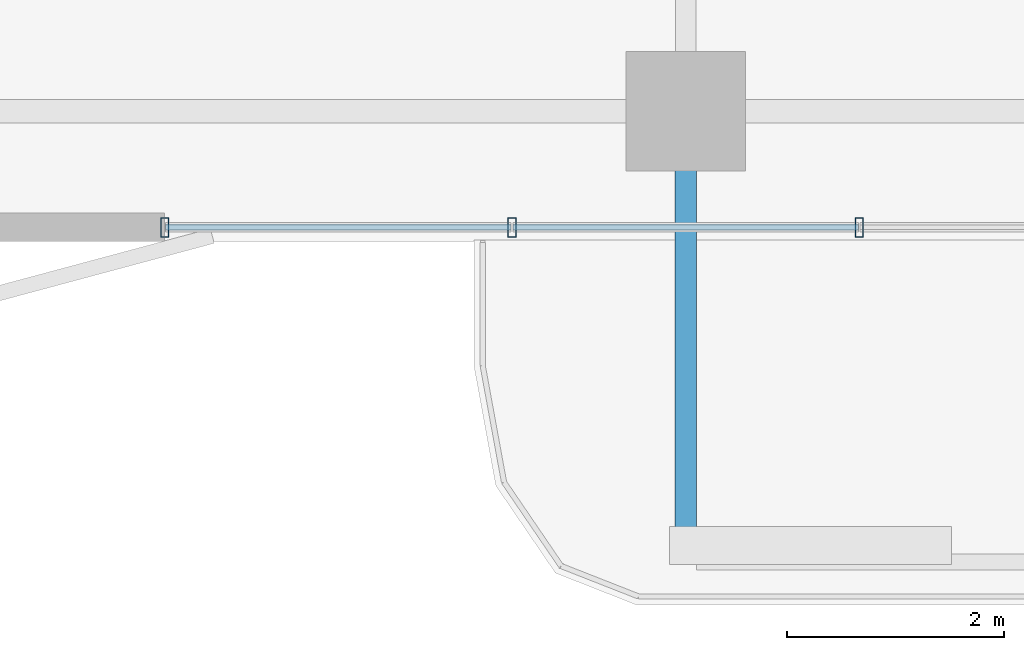
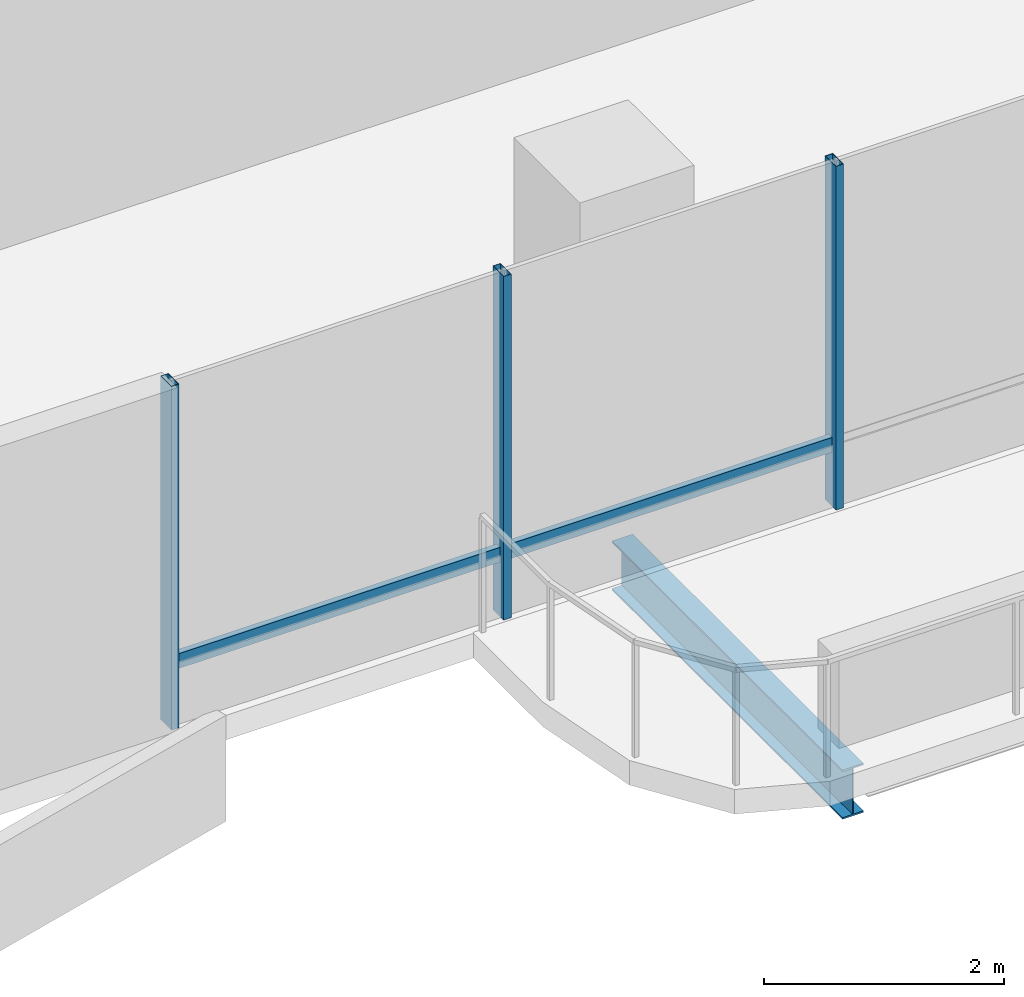
# One storey, part 2 of 24: 5 members, 1 beam, 1 element without a shape of its own.
"""IFC4 building model written with IfcOpenShell, lengths in metres."""

from ifc_helpers import new_model, si_unit, direction, frame, origin, origin_2d, place, context, subcontext, project, spatial, hollow_rectangle, i_section, extrude, material, layer, layer_set, material_profile, profile_set, type_object, element, aggregate, save


model = new_model("IFC4")

# Units and contexts
model_context = context("Model", 3, precision=1e-05, world=origin(), true_north=direction((0.0, 1.0)))
body_context = subcontext(model_context, "Body", "Model", "MODEL_VIEW")
ifc_project = project(units=[si_unit("LENGTHUNIT", "METRE"), si_unit("AREAUNIT", "SQUARE_METRE"), si_unit("VOLUMEUNIT", "CUBIC_METRE"), si_unit("PLANEANGLEUNIT", "RADIAN"), si_unit("MASSUNIT", "GRAM", prefix="KILO")], contexts=[model_context])

# Site, building, storey
site_placement = place(None, origin())
site = spatial("IfcSite", under=ifc_project, at=site_placement, CompositionType="ELEMENT")
building_placement = place(site_placement, origin())
building = spatial("IfcBuilding", under=site, at=building_placement, Name="Belovzor Exchange Tower", CompositionType="ELEMENT")
storey_placement = place(building_placement, frame((0.0, 0.0, 214.949951171875)))
storey = spatial("IfcBuildingStorey", under=building, at=storey_placement, Name="L53", CompositionType="ELEMENT", Elevation=214.949951171875)

# Beam
ifc_material_1 = material(Name="Steel S355", Category="steel")
ifc_material_profile_1 = material_profile(ifc_material_1, i_section(OverallWidth=0.199951171875, OverallDepth=0.5, WebThickness=0.01025390625, FlangeThickness=0.01611328125, at=origin_2d()))
ifc_profile_set_1 = profile_set([ifc_material_profile_1], Name="Steel S355")
beam_type = type_object("IfcBeamType", Name="Planted Balcony Cantilever Beam IPE 500", PredefinedType="BEAM", material=ifc_profile_set_1)
beam_placement = place(storey_placement, frame((28.800048828125, 2.697021484375, -0.5), z_axis=(0.0, -1.0, 0.0), x_axis=(1.0, 0.0, 0.0)))
element("IfcBeam", 1, at=beam_placement, inside=storey, type_object=beam_type, Name="BC-500 Planted Balcony Cantilever Beam IPE 500", PredefinedType="BEAM", context=body_context, shape_type="SweptSolid", body=[
    extrude(i_section(OverallWidth=0.199951171875, OverallDepth=0.5, WebThickness=0.01025390625, FlangeThickness=0.01611328125, at=origin_2d()), origin(), (0.0, 0.0, 1.0), 3.85009765625),
])

# Curtain wall, members
ifc_material_2 = material(Name="Anodised Aluminium Framing", Category="aluminium")
ifc_layer = layer(ifc_material_2, 0.179931640625)
ifc_layer_set = layer_set([ifc_layer], Name="Anodised Aluminium Framing")
curtain_wall_type = type_object("IfcCurtainWallType", Name="Recessed Loggia Low-Iron Triple-Glazed Curtain Wall", PredefinedType="NOTDEFINED", material=ifc_layer_set)
curtain_wall_placement = place(storey_placement, origin())
curtain_wall = element("IfcCurtainWall", 2, at=curtain_wall_placement, inside=storey, type_object=curtain_wall_type, Name="CW3 Recessed Loggia Low-Iron Triple-Glazed Curtain Wall L53", PredefinedType="NOTDEFINED")
ifc_material_3 = material(Name="Steel S355", Category="steel")
ifc_material_profile_2 = material_profile(ifc_material_3, hollow_rectangle(XDim=0.074951171875, YDim=0.179931640625, WallThickness=0.0048828125, at=origin_2d()))
ifc_profile_set_2 = profile_set([ifc_material_profile_2], Name="Steel S355")
member_type_1 = type_object("IfcMemberType", Name="Thermally Broken Curtain Wall Mullion 180x75", PredefinedType="MULLION", material=ifc_profile_set_2)
member_1_placement = place(storey_placement, frame((30.39990234375, 1.929931640625, 0.0), z_axis=(0.0, 0.0, 1.0), x_axis=(-1.0, 0.0, 0.0)))
member_1 = element("IfcMember", 3, at=member_1_placement, type_object=member_type_1, Name="CW-M180 Curtain Wall Mullion 2", PredefinedType="MULLION", context=body_context, shape_type="SweptSolid", body=[
    extrude(hollow_rectangle(XDim=0.074951171875, YDim=0.179931640625, WallThickness=0.0048828125, at=origin_2d()), origin(), (0.0, 0.0, 1.0), 3.5),
])
member_2_placement = place(storey_placement, frame((27.199951171875, 1.929931640625, 0.0), z_axis=(0.0, 0.0, 1.0), x_axis=(-1.0, 0.0, 0.0)))
member_2 = element("IfcMember", 4, at=member_2_placement, type_object=member_type_1, Name="CW-M180 Curtain Wall Mullion 3", PredefinedType="MULLION", context=body_context, shape_type="SweptSolid", body=[
    extrude(hollow_rectangle(XDim=0.074951171875, YDim=0.179931640625, WallThickness=0.0048828125, at=origin_2d()), origin(), (0.0, 0.0, 1.0), 3.5),
])
member_3_placement = place(storey_placement, frame((24.0, 1.929931640625, 0.0), z_axis=(0.0, 0.0, 1.0), x_axis=(-1.0, 0.0, 0.0)))
member_3 = element("IfcMember", 5, at=member_3_placement, type_object=member_type_1, Name="CW-M180 Curtain Wall Mullion 4", PredefinedType="MULLION", context=body_context, shape_type="SweptSolid", body=[
    extrude(hollow_rectangle(XDim=0.074951171875, YDim=0.179931640625, WallThickness=0.0048828125, at=origin_2d()), origin(), (0.0, 0.0, 1.0), 3.5),
])
ifc_material_4 = material(Name="Steel S355", Category="steel")
ifc_material_profile_3 = material_profile(ifc_material_4, hollow_rectangle(XDim=0.06005859375, YDim=0.14990234375, WallThickness=0.00390625, at=origin_2d()))
ifc_profile_set_3 = profile_set([ifc_material_profile_3], Name="Steel S355")
member_type_2 = type_object("IfcMemberType", Name="Thermally Broken Curtain Wall Transom 150x60", PredefinedType="USERDEFINED", material=ifc_profile_set_3)
member_4_placement = place(storey_placement, frame((30.39208984375, 1.929931640625, 0.630126953125), z_axis=(-1.0, 0.0, 0.0), x_axis=(0.0, -1.0, 0.0)))
member_4 = element("IfcMember", 6, at=member_4_placement, type_object=member_type_2, Name="CW-T150 Curtain Wall Transom 2", ObjectType="TRANSOM", PredefinedType="USERDEFINED", context=body_context, shape_type="SweptSolid", body=[
    extrude(hollow_rectangle(XDim=0.06005859375, YDim=0.14990234375, WallThickness=0.00390625, at=origin_2d()), origin(), (0.0, 0.0, 1.0), 3.18408203125),
])
member_5_placement = place(storey_placement, frame((27.19189453125, 1.929931640625, 0.630126953125), z_axis=(-1.0, 0.0, 0.0), x_axis=(0.0, -1.0, 0.0)))
member_5 = element("IfcMember", 7, at=member_5_placement, type_object=member_type_2, Name="CW-T150 Curtain Wall Transom 3", ObjectType="TRANSOM", PredefinedType="USERDEFINED", context=body_context, shape_type="SweptSolid", body=[
    extrude(hollow_rectangle(XDim=0.06005859375, YDim=0.14990234375, WallThickness=0.00390625, at=origin_2d()), origin(), (0.0, 0.0, 1.0), 3.183837890625),
])
aggregate(curtain_wall, [member_1, member_2, member_3, member_4, member_5])

save(model, "model.ifc")
